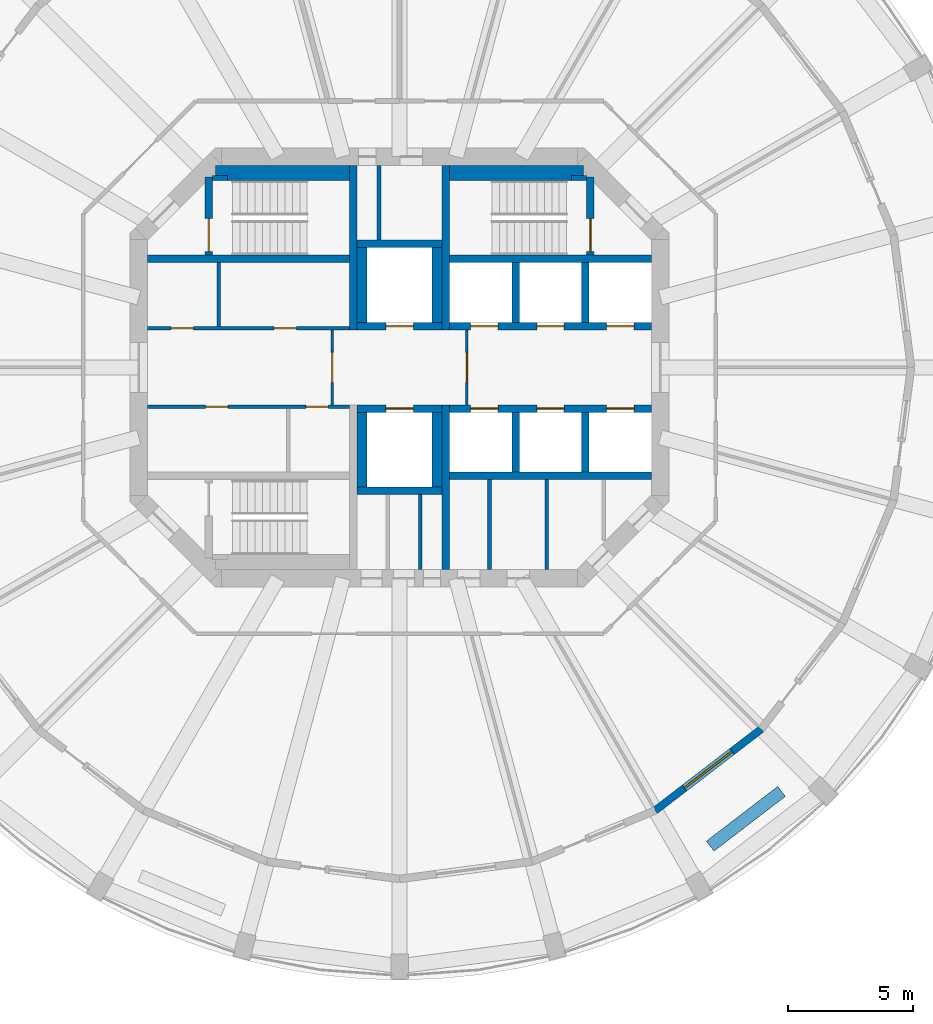
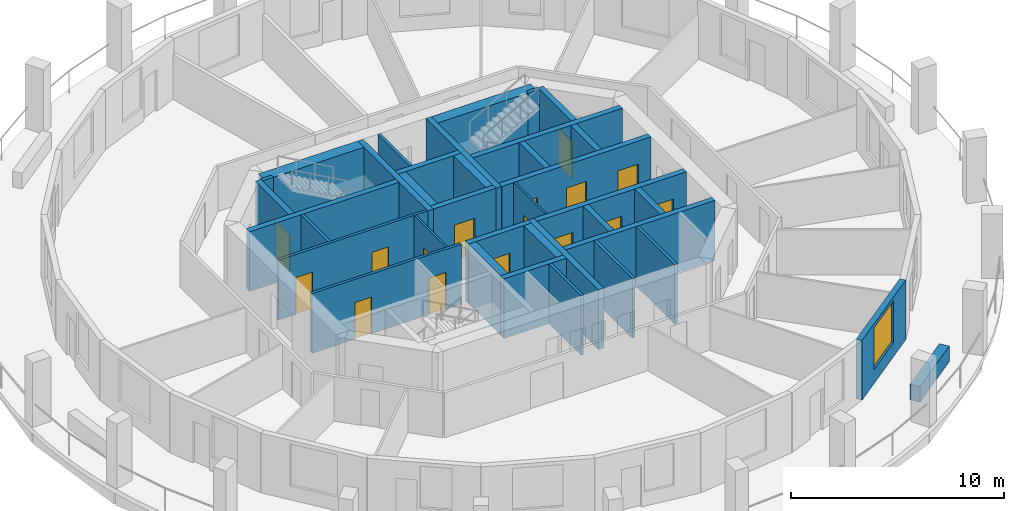
# One storey, part 4 of 9: 37 walls, 16 doors, 1 window, 17 openings.
"""IFC4 building model written with IfcOpenShell, lengths in metres."""

from ifc_helpers import new_model, si_unit, direction, frame, frame_2d, origin, place, context, subcontext, project, spatial, rectangle, extrude, material, layer, layer_set, type_object, element, fill, save


model = new_model("IFC4")

# Units and contexts
model_context = context("Model", 3, precision=1e-05, world=origin(), true_north=direction((0.0, 1.0)))
body_context = subcontext(model_context, "Body", "Model", "MODEL_VIEW")
ifc_project = project(units=[si_unit("LENGTHUNIT", "METRE"), si_unit("AREAUNIT", "SQUARE_METRE"), si_unit("VOLUMEUNIT", "CUBIC_METRE"), si_unit("PLANEANGLEUNIT", "RADIAN"), si_unit("MASSUNIT", "GRAM", prefix="KILO")], contexts=[model_context])

# Site, building, storey
site_placement = place(None, origin())
site = spatial("IfcSite", under=ifc_project, at=site_placement, CompositionType="ELEMENT")
building_placement = place(site_placement, origin())
building = spatial("IfcBuilding", under=site, at=building_placement, Name="Torre Triforio", CompositionType="ELEMENT")
storey_placement = place(building_placement, frame((0.0, 0.0, 233.5)))
storey = spatial("IfcBuildingStorey", under=building, at=storey_placement, Name="L53", CompositionType="ELEMENT", Elevation=233.5)

# Walls
ifc_material_1 = material(Name="Concrete C50", Category="concrete")
ifc_layer_1 = layer(ifc_material_1, 0.300048828125)
ifc_layer_set_1 = layer_set([ifc_layer_1], Name="Concrete C50")
wall_type_1 = type_object("IfcWallType", Name="Core wall 300 mm C50 EI 120", PredefinedType="SHEAR", material=ifc_layer_set_1)
for number, where, z_axis, x_axis, name in (
    (1, (-1.85009765625, 1.5, 0.0), (0.0, 0.0, 1.0), (0.0, 1.0, 0.0), "Core wall"),
    (2, (1.85009765625, 1.5, 0.0), (0.0, 0.0, 1.0), (0.0, 1.0, 0.0), "Core wall"),
    (3, (1.85009765625, -8.10009765625, 0.0), (0.0, 0.0, 1.0), (0.0, 1.0, 0.0), "Core wall"),
):
    element("IfcWall", number, at=place(storey_placement, frame(where, z_axis=z_axis, x_axis=x_axis)), inside=storey, type_object=wall_type_1, Name=name, PredefinedType="SHEAR", context=body_context, shape_type="SweptSolid", body=[
        extrude(rectangle(XDim=6.60009765625, YDim=0.300048828125, at=frame_2d((3.300048828125, 0.0))), origin(), (0.0, 0.0, 1.0), 3.419921875),
    ])

# Wall, opening, door
ifc_material_2 = material(Name="Block and board partition")
ifc_layer_2 = layer(ifc_material_2, 0.10009765625)
ifc_layer_set_2 = layer_set([ifc_layer_2], Name="Block and board partition")
wall_type_2 = type_object("IfcWallType", Name="Partition 100 mm EI 120", PredefinedType="PARTITIONING", material=ifc_layer_set_2)
wall_1_placement = place(storey_placement, frame((-2.699951171875, -1.5, 0.0), z_axis=(0.0, 0.0, 1.0), x_axis=(0.0, 1.0, 0.0)))
wall_1 = element("IfcWall", 4, at=wall_1_placement, inside=storey, type_object=wall_type_2, Name="Partition", PredefinedType="PARTITIONING", context=body_context, shape_type="SweptSolid", body=[
    extrude(rectangle(XDim=3.0, YDim=0.10009765625, at=frame_2d((1.5, 0.0))), origin(), (0.0, 0.0, 1.0), 3.419921875),
])
opening_1_placement = place(wall_1_placement, frame((0.89990234375, 0.0, 0.0)))
opening_1 = element("IfcOpeningElement", 5, at=opening_1_placement, cuts=wall_1, Name="Opening FF-W", PredefinedType="OPENING", context=body_context, shape_type="SweptSolid", body=[
    extrude(rectangle(XDim=1.199951171875, YDim=2.10009765625, at=frame_2d((0.60009765625, 1.050048828125))), frame((0.0, 0.06005859375, 0.0), z_axis=(0.0, -1.0, 0.0), x_axis=(1.0, 0.0, 0.0)), (0.0, 0.0, 1.0), 0.1201171875),
])
ifc_material_3 = material(Name="Hollow metal fire door leaf")
door_type_1 = type_object("IfcDoorType", Name="Fire-fighting lobby door 1200 x 2100 EI 60", OperationType="NOTDEFINED", PredefinedType="DOOR", material=ifc_material_3)
door_1_placement = place(opening_1_placement, origin())
door_1 = element("IfcDoor", 6, at=door_1_placement, inside=storey, type_object=door_type_1, Name="Core door FF-W", OperationType="SINGLE_SWING_LEFT", OverallHeight=2.10009765625, OverallWidth=1.199951171875, PredefinedType="DOOR", context=body_context, shape_type="SweptSolid", body=[
    extrude(rectangle(XDim=1.199951171875, YDim=2.10009765625, at=frame_2d((0.60009765625, 1.050048828125))), frame((0.0, 0.02490234375, 0.0), z_axis=(0.0, -1.0, 0.0), x_axis=(1.0, 0.0, 0.0)), (0.0, 0.0, 1.0), 0.050048828125),
])
fill(opening_1, door_1)

wall_2_placement = place(storey_placement, frame((2.699951171875, -1.5, 0.0), z_axis=(0.0, 0.0, 1.0), x_axis=(0.0, 1.0, 0.0)))
wall_2 = element("IfcWall", 7, at=wall_2_placement, inside=storey, type_object=wall_type_2, Name="Partition", PredefinedType="PARTITIONING", context=body_context, shape_type="SweptSolid", body=[
    extrude(rectangle(XDim=3.0, YDim=0.10009765625, at=frame_2d((1.5, 0.0))), origin(), (0.0, 0.0, 1.0), 3.419921875),
])
opening_2_placement = place(wall_2_placement, frame((0.89990234375, 0.0, 0.0)))
opening_2 = element("IfcOpeningElement", 8, at=opening_2_placement, cuts=wall_2, Name="Opening FF-E", PredefinedType="OPENING", context=body_context, shape_type="SweptSolid", body=[
    extrude(rectangle(XDim=1.199951171875, YDim=2.10009765625, at=frame_2d((0.60009765625, 1.050048828125))), frame((0.0, 0.06005859375, 0.0), z_axis=(0.0, -1.0, 0.0), x_axis=(1.0, 0.0, 0.0)), (0.0, 0.0, 1.0), 0.1201171875),
])
door_2_placement = place(opening_2_placement, origin())
door_2 = element("IfcDoor", 9, at=door_2_placement, inside=storey, type_object=door_type_1, Name="Core door FF-E", OperationType="SINGLE_SWING_LEFT", OverallHeight=2.10009765625, OverallWidth=1.199951171875, PredefinedType="DOOR", context=body_context, shape_type="SweptSolid", body=[
    extrude(rectangle(XDim=1.199951171875, YDim=2.10009765625, at=frame_2d((0.60009765625, 1.050048828125))), frame((0.0, 0.02490234375, 0.0), z_axis=(0.0, -1.0, 0.0), x_axis=(1.0, 0.0, 0.0)), (0.0, 0.0, 1.0), 0.050048828125),
])
fill(opening_2, door_2)

# Walls
ifc_layer_3 = layer(ifc_material_2, 0.14990234375)
ifc_layer_set_3 = layer_set([ifc_layer_3], Name="Block and board partition")
wall_type_3 = type_object("IfcWallType", Name="Partition 150 mm", PredefinedType="PARTITIONING", material=ifc_layer_set_3)
for number, where, z_axis, x_axis, name in (
    (10, (3.60498046875, -8.10009765625, 0.0), (0.0, 0.0, 1.0), (0.0, 1.0, 0.0), "Partition"),
    (11, (5.89697265625, -8.10009765625, 0.0), (0.0, 0.0, 1.0), (0.0, 1.0, 0.0), "Partition"),
):
    element("IfcWall", number, at=place(storey_placement, frame(where, z_axis=z_axis, x_axis=x_axis)), inside=storey, type_object=wall_type_3, Name=name, PredefinedType="PARTITIONING", context=body_context, shape_type="SweptSolid", body=[
        extrude(rectangle(XDim=3.60009765625, YDim=0.14990234375, at=frame_2d((1.800048828125, 0.0))), origin(), (0.0, 0.0, 1.0), 3.419921875),
    ])
wall_3_placement = place(storey_placement, frame((-7.242431640625, 1.64990234375, 0.0), z_axis=(0.0, 0.0, 1.0), x_axis=(0.0, 1.0, 0.0)))
element("IfcWall", 12, at=wall_3_placement, inside=storey, type_object=wall_type_3, Name="Partition", PredefinedType="PARTITIONING", context=body_context, shape_type="SweptSolid", body=[
    extrude(rectangle(XDim=2.550048828125, YDim=0.14990234375, at=frame_2d((1.27490234375, 0.0))), origin(), (0.0, 0.0, 1.0), 3.419921875),
])
ifc_layer_4 = layer(ifc_material_2, 0.14990234375)
ifc_layer_set_4 = layer_set([ifc_layer_4], Name="Block and board partition")
wall_type_4 = type_object("IfcWallType", Name="Partition 150 mm EI 120", PredefinedType="PARTITIONING", material=ifc_layer_set_4)
for number, where, z_axis, x_axis, name in (
    (13, (-0.824951171875, 5.10009765625, 0.0), (0.0, 0.0, 1.0), (0.0, 1.0, 0.0), "Partition"),
    (14, (0.824951171875, -8.10009765625, 0.0), (0.0, 0.0, 1.0), (0.0, 1.0, 0.0), "Partition"),
):
    element("IfcWall", number, at=place(storey_placement, frame(where, z_axis=z_axis, x_axis=x_axis)), inside=storey, type_object=wall_type_4, Name=name, PredefinedType="PARTITIONING", context=body_context, shape_type="SweptSolid", body=[
        extrude(rectangle(XDim=3.0, YDim=0.14990234375, at=frame_2d((1.5, 0.0))), origin(), (0.0, 0.0, 1.0), 3.419921875),
    ])

# Wall, openings, doors
wall_4_placement = place(storey_placement, frame((-10.10009765625, 1.574951171875, 0.0), z_axis=(0.0, 0.0, 1.0), x_axis=(1.0, 0.0, 0.0)))
wall_4 = element("IfcWall", 15, at=wall_4_placement, inside=storey, type_object=wall_type_4, Name="Partition", PredefinedType="PARTITIONING", context=body_context, shape_type="SweptSolid", body=[
    extrude(rectangle(XDim=8.10009765625, YDim=0.14990234375, at=frame_2d((4.050048828125, 0.0))), origin(), (0.0, 0.0, 1.0), 3.419921875),
])
opening_3_placement = place(wall_4_placement, frame((0.941162109375, 0.0, 0.0)))
opening_3 = element("IfcOpeningElement", 16, at=opening_3_placement, cuts=wall_4, Name="Opening FN-01A", PredefinedType="OPENING", context=body_context, shape_type="SweptSolid", body=[
    extrude(rectangle(XDim=0.89990234375, YDim=2.10009765625, at=frame_2d((0.449951171875, 1.050048828125))), frame((0.0, 0.0849609375, 0.0), z_axis=(0.0, -1.0, 0.0), x_axis=(1.0, 0.0, 0.0)), (0.0, 0.0, 1.0), 0.169921875),
])
opening_4_placement = place(wall_4_placement, frame((5.066162109375, 0.0, 0.0)))
opening_4 = element("IfcOpeningElement", 17, at=opening_4_placement, cuts=wall_4, Name="Opening FN-02", PredefinedType="OPENING", context=body_context, shape_type="SweptSolid", body=[
    extrude(rectangle(XDim=0.89990234375, YDim=2.10009765625, at=frame_2d((0.449951171875, 1.050048828125))), frame((0.0, 0.0849609375, 0.0), z_axis=(0.0, -1.0, 0.0), x_axis=(1.0, 0.0, 0.0)), (0.0, 0.0, 1.0), 0.169921875),
])
door_type_2 = type_object("IfcDoorType", Name="Plant room door 900 x 2100 EI 60", OperationType="NOTDEFINED", PredefinedType="DOOR", material=ifc_material_3)
door_3_placement = place(opening_3_placement, origin())
door_3 = element("IfcDoor", 18, at=door_3_placement, inside=storey, type_object=door_type_2, Name="Core door FN-01", OperationType="SINGLE_SWING_RIGHT", OverallHeight=2.10009765625, OverallWidth=0.89990234375, PredefinedType="DOOR", context=body_context, shape_type="SweptSolid", body=[
    extrude(rectangle(XDim=0.89990234375, YDim=2.10009765625, at=frame_2d((0.449951171875, 1.050048828125))), frame((0.0, 0.02490234375, 0.0), z_axis=(0.0, -1.0, 0.0), x_axis=(1.0, 0.0, 0.0)), (0.0, 0.0, 1.0), 0.050048828125),
])
fill(opening_3, door_3)
door_type_3 = type_object("IfcDoorType", Name="Room door 900 x 2100 EI 60", OperationType="NOTDEFINED", PredefinedType="DOOR", material=ifc_material_3)
door_4_placement = place(opening_4_placement, origin())
door_4 = element("IfcDoor", 19, at=door_4_placement, inside=storey, type_object=door_type_3, Name="Core door FN-02", OperationType="SINGLE_SWING_RIGHT", OverallHeight=2.10009765625, OverallWidth=0.89990234375, PredefinedType="DOOR", context=body_context, shape_type="SweptSolid", body=[
    extrude(rectangle(XDim=0.89990234375, YDim=2.10009765625, at=frame_2d((0.449951171875, 1.050048828125))), frame((0.0, 0.02490234375, 0.0), z_axis=(0.0, -1.0, 0.0), x_axis=(1.0, 0.0, 0.0)), (0.0, 0.0, 1.0), 0.050048828125),
])
fill(opening_4, door_4)

wall_5_placement = place(storey_placement, frame((-10.10009765625, -1.574951171875, 0.0), z_axis=(0.0, 0.0, 1.0), x_axis=(1.0, 0.0, 0.0)))
wall_5 = element("IfcWall", 20, at=wall_5_placement, inside=storey, type_object=wall_type_4, Name="Partition", PredefinedType="PARTITIONING", context=body_context, shape_type="SweptSolid", body=[
    extrude(rectangle(XDim=8.10009765625, YDim=0.14990234375, at=frame_2d((4.050048828125, 0.0))), origin(), (0.0, 0.0, 1.0), 3.419921875),
])
opening_5_placement = place(wall_5_placement, frame((2.33251953125, 0.0, 0.0)))
opening_5 = element("IfcOpeningElement", 21, at=opening_5_placement, cuts=wall_5, Name="Opening FS-01", PredefinedType="OPENING", context=body_context, shape_type="SweptSolid", body=[
    extrude(rectangle(XDim=0.89990234375, YDim=2.10009765625, at=frame_2d((0.449951171875, 1.050048828125))), frame((0.0, 0.0849609375, 0.0), z_axis=(0.0, -1.0, 0.0), x_axis=(1.0, 0.0, 0.0)), (0.0, 0.0, 1.0), 0.169921875),
])
opening_6_placement = place(wall_5_placement, frame((6.35009765625, 0.0, 0.0)))
opening_6 = element("IfcOpeningElement", 22, at=opening_6_placement, cuts=wall_5, Name="Opening FS-02A", PredefinedType="OPENING", context=body_context, shape_type="SweptSolid", body=[
    extrude(rectangle(XDim=0.89990234375, YDim=2.10009765625, at=frame_2d((0.449951171875, 1.050048828125))), frame((0.0, 0.0849609375, 0.0), z_axis=(0.0, -1.0, 0.0), x_axis=(1.0, 0.0, 0.0)), (0.0, 0.0, 1.0), 0.169921875),
])
door_5_placement = place(opening_6_placement, origin())
door_5 = element("IfcDoor", 23, at=door_5_placement, inside=storey, type_object=door_type_2, Name="Core door FS-02", OperationType="SINGLE_SWING_LEFT", OverallHeight=2.10009765625, OverallWidth=0.89990234375, PredefinedType="DOOR", context=body_context, shape_type="SweptSolid", body=[
    extrude(rectangle(XDim=0.89990234375, YDim=2.10009765625, at=frame_2d((0.449951171875, 1.050048828125))), frame((0.0, 0.02490234375, 0.0), z_axis=(0.0, -1.0, 0.0), x_axis=(1.0, 0.0, 0.0)), (0.0, 0.0, 1.0), 0.050048828125),
])
fill(opening_6, door_5)
door_6_placement = place(opening_5_placement, origin())
door_6 = element("IfcDoor", 24, at=door_6_placement, inside=storey, type_object=door_type_3, Name="Core door FS-01", OperationType="SINGLE_SWING_LEFT", OverallHeight=2.10009765625, OverallWidth=0.89990234375, PredefinedType="DOOR", context=body_context, shape_type="SweptSolid", body=[
    extrude(rectangle(XDim=0.89990234375, YDim=2.10009765625, at=frame_2d((0.449951171875, 1.050048828125))), frame((0.0, 0.02490234375, 0.0), z_axis=(0.0, -1.0, 0.0), x_axis=(1.0, 0.0, 0.0)), (0.0, 0.0, 1.0), 0.050048828125),
])
fill(opening_5, door_6)

# Walls
ifc_material_4 = material(Name="Limestone cladding", Category="masonry")
ifc_layer_5 = layer(ifc_material_4, 0.10009765625)
ifc_material_5 = material(Name="Concrete C40", Category="concrete")
ifc_layer_6 = layer(ifc_material_5, 0.39990234375)
ifc_layer_set_5 = layer_set([ifc_layer_5, ifc_layer_6], Name="Limestone cladding / Concrete C40")
wall_type_5 = type_object("IfcWallType", Name="Planter wall 500", PredefinedType="PARAPET", material=ifc_layer_set_5)
wall_6_placement = place(storey_placement, frame((12.45166015625, -19.18408203125, 0.0), z_axis=(0.0, 0.0, 1.0), x_axis=(0.793384730612, 0.608720518162, 0.0)))
element("IfcWall", 25, at=wall_6_placement, inside=storey, type_object=wall_type_5, Name="Planter L53 bay 21", PredefinedType="PARAPET", context=body_context, shape_type="SweptSolid", body=[
    extrude(rectangle(XDim=3.60009765625, YDim=0.5, at=frame_2d((1.800048828125, 0.0))), origin(), (0.0, 0.0, 1.0), 0.89990234375),
])
ifc_layer_7 = layer(ifc_material_1, 0.300048828125)
ifc_layer_set_6 = layer_set([ifc_layer_7], Name="Concrete C50")
wall_type_6 = type_object("IfcWallType", Name="Shaft wall 300 mm C50 EI 120", PredefinedType="SOLIDWALL", material=ifc_layer_set_6)
for number, where, z_axis, x_axis, name in (
    (26, (-10.10009765625, 4.35009765625, 0.0), (0.0, 0.0, 1.0), (1.0, 0.0, 0.0), "Shaft wall"),
    (27, (2.0, 4.35009765625, 0.0), (0.0, 0.0, 1.0), (1.0, 0.0, 0.0), "Shaft wall"),
    (28, (2.0, -4.35009765625, 0.0), (0.0, 0.0, 1.0), (1.0, 0.0, 0.0), "Shaft wall"),
):
    element("IfcWall", number, at=place(storey_placement, frame(where, z_axis=z_axis, x_axis=x_axis)), inside=storey, type_object=wall_type_6, Name=name, PredefinedType="SOLIDWALL", context=body_context, shape_type="SweptSolid", body=[
        extrude(rectangle(XDim=8.10009765625, YDim=0.300048828125, at=frame_2d((4.050048828125, 0.0))), origin(), (0.0, 0.0, 1.0), 3.419921875),
    ])

# Wall, openings, doors
wall_7_placement = place(storey_placement, frame((2.0, 1.64990234375, 0.0), z_axis=(0.0, 0.0, 1.0), x_axis=(1.0, 0.0, 0.0)))
wall_7 = element("IfcWall", 29, at=wall_7_placement, inside=storey, type_object=wall_type_6, Name="Shaft wall", PredefinedType="SOLIDWALL", context=body_context, shape_type="SweptSolid", body=[
    extrude(rectangle(XDim=8.10009765625, YDim=0.300048828125, at=frame_2d((4.050048828125, 0.0))), origin(), (0.0, 0.0, 1.0), 3.419921875),
])
opening_7_placement = place(wall_7_placement, frame((0.85009765625, 0.0, 0.0)))
opening_7 = element("IfcOpeningElement", 30, at=opening_7_placement, cuts=wall_7, Name="Opening LD", PredefinedType="OPENING", context=body_context, shape_type="SweptSolid", body=[
    extrude(rectangle(XDim=1.10009765625, YDim=2.10009765625, at=frame_2d((0.550048828125, 1.050048828125))), frame((0.0, 0.159912109375, 0.0), z_axis=(0.0, -1.0, 0.0), x_axis=(1.0, 0.0, 0.0)), (0.0, 0.0, 1.0), 0.320068359375),
])
opening_8_placement = place(wall_7_placement, frame((3.5, 0.0, 0.0)))
opening_8 = element("IfcOpeningElement", 31, at=opening_8_placement, cuts=wall_7, Name="Opening LD", PredefinedType="OPENING", context=body_context, shape_type="SweptSolid", body=[
    extrude(rectangle(XDim=1.10009765625, YDim=2.10009765625, at=frame_2d((0.550048828125, 1.050048828125))), frame((0.0, 0.159912109375, 0.0), z_axis=(0.0, -1.0, 0.0), x_axis=(1.0, 0.0, 0.0)), (0.0, 0.0, 1.0), 0.320068359375),
])
opening_9_placement = place(wall_7_placement, frame((6.300048828125, 0.0, 0.0)))
opening_9 = element("IfcOpeningElement", 32, at=opening_9_placement, cuts=wall_7, Name="Opening LD", PredefinedType="OPENING", context=body_context, shape_type="SweptSolid", body=[
    extrude(rectangle(XDim=1.10009765625, YDim=2.10009765625, at=frame_2d((0.550048828125, 1.050048828125))), frame((0.0, 0.159912109375, 0.0), z_axis=(0.0, -1.0, 0.0), x_axis=(1.0, 0.0, 0.0)), (0.0, 0.0, 1.0), 0.320068359375),
])
door_type_4 = type_object("IfcDoorType", Name="Landing door 1100 x 2100 EI 60", OperationType="DOUBLE_DOOR_SLIDING", PredefinedType="DOOR", material=ifc_material_3)
door_7_placement = place(opening_7_placement, origin())
door_7 = element("IfcDoor", 33, at=door_7_placement, inside=storey, type_object=door_type_4, Name="Landing door HR1", OperationType="DOUBLE_DOOR_SLIDING", OverallHeight=2.10009765625, OverallWidth=1.10009765625, PredefinedType="DOOR", context=body_context, shape_type="SweptSolid", body=[
    extrude(rectangle(XDim=1.10009765625, YDim=2.10009765625, at=frame_2d((0.550048828125, 1.050048828125))), frame((0.0, 0.02490234375, 0.0), z_axis=(0.0, -1.0, 0.0), x_axis=(1.0, 0.0, 0.0)), (0.0, 0.0, 1.0), 0.050048828125),
])
fill(opening_7, door_7)
door_8_placement = place(opening_8_placement, origin())
door_8 = element("IfcDoor", 34, at=door_8_placement, inside=storey, type_object=door_type_4, Name="Landing door HR2", OperationType="DOUBLE_DOOR_SLIDING", OverallHeight=2.10009765625, OverallWidth=1.10009765625, PredefinedType="DOOR", context=body_context, shape_type="SweptSolid", body=[
    extrude(rectangle(XDim=1.10009765625, YDim=2.10009765625, at=frame_2d((0.550048828125, 1.050048828125))), frame((0.0, 0.02490234375, 0.0), z_axis=(0.0, -1.0, 0.0), x_axis=(1.0, 0.0, 0.0)), (0.0, 0.0, 1.0), 0.050048828125),
])
fill(opening_8, door_8)
door_9_placement = place(opening_9_placement, origin())
door_9 = element("IfcDoor", 35, at=door_9_placement, inside=storey, type_object=door_type_4, Name="Landing door HR3", OperationType="DOUBLE_DOOR_SLIDING", OverallHeight=2.10009765625, OverallWidth=1.10009765625, PredefinedType="DOOR", context=body_context, shape_type="SweptSolid", body=[
    extrude(rectangle(XDim=1.10009765625, YDim=2.10009765625, at=frame_2d((0.550048828125, 1.050048828125))), frame((0.0, 0.02490234375, 0.0), z_axis=(0.0, -1.0, 0.0), x_axis=(1.0, 0.0, 0.0)), (0.0, 0.0, 1.0), 0.050048828125),
])
fill(opening_9, door_9)

wall_8_placement = place(storey_placement, frame((2.0, -1.64990234375, 0.0), z_axis=(0.0, 0.0, 1.0), x_axis=(1.0, 0.0, 0.0)))
wall_8 = element("IfcWall", 36, at=wall_8_placement, inside=storey, type_object=wall_type_6, Name="Shaft wall", PredefinedType="SOLIDWALL", context=body_context, shape_type="SweptSolid", body=[
    extrude(rectangle(XDim=8.10009765625, YDim=0.300048828125, at=frame_2d((4.050048828125, 0.0))), origin(), (0.0, 0.0, 1.0), 3.419921875),
])
opening_10_placement = place(wall_8_placement, frame((0.85009765625, 0.0, 0.0)))
opening_10 = element("IfcOpeningElement", 37, at=opening_10_placement, cuts=wall_8, Name="Opening LD", PredefinedType="OPENING", context=body_context, shape_type="SweptSolid", body=[
    extrude(rectangle(XDim=1.10009765625, YDim=2.10009765625, at=frame_2d((0.550048828125, 1.050048828125))), frame((0.0, 0.159912109375, 0.0), z_axis=(0.0, -1.0, 0.0), x_axis=(1.0, 0.0, 0.0)), (0.0, 0.0, 1.0), 0.320068359375),
])
opening_11_placement = place(wall_8_placement, frame((3.5, 0.0, 0.0)))
opening_11 = element("IfcOpeningElement", 38, at=opening_11_placement, cuts=wall_8, Name="Opening LD", PredefinedType="OPENING", context=body_context, shape_type="SweptSolid", body=[
    extrude(rectangle(XDim=1.10009765625, YDim=2.10009765625, at=frame_2d((0.550048828125, 1.050048828125))), frame((0.0, 0.159912109375, 0.0), z_axis=(0.0, -1.0, 0.0), x_axis=(1.0, 0.0, 0.0)), (0.0, 0.0, 1.0), 0.320068359375),
])
opening_12_placement = place(wall_8_placement, frame((6.300048828125, 0.0, 0.0)))
opening_12 = element("IfcOpeningElement", 39, at=opening_12_placement, cuts=wall_8, Name="Opening LD", PredefinedType="OPENING", context=body_context, shape_type="SweptSolid", body=[
    extrude(rectangle(XDim=1.10009765625, YDim=2.10009765625, at=frame_2d((0.550048828125, 1.050048828125))), frame((0.0, 0.159912109375, 0.0), z_axis=(0.0, -1.0, 0.0), x_axis=(1.0, 0.0, 0.0)), (0.0, 0.0, 1.0), 0.320068359375),
])
door_10_placement = place(opening_10_placement, origin())
door_10 = element("IfcDoor", 40, at=door_10_placement, inside=storey, type_object=door_type_4, Name="Landing door HR4", OperationType="DOUBLE_DOOR_SLIDING", OverallHeight=2.10009765625, OverallWidth=1.10009765625, PredefinedType="DOOR", context=body_context, shape_type="SweptSolid", body=[
    extrude(rectangle(XDim=1.10009765625, YDim=2.10009765625, at=frame_2d((0.550048828125, 1.050048828125))), frame((0.0, 0.02490234375, 0.0), z_axis=(0.0, -1.0, 0.0), x_axis=(1.0, 0.0, 0.0)), (0.0, 0.0, 1.0), 0.050048828125),
])
fill(opening_10, door_10)
door_11_placement = place(opening_11_placement, origin())
door_11 = element("IfcDoor", 41, at=door_11_placement, inside=storey, type_object=door_type_4, Name="Landing door HR5", OperationType="DOUBLE_DOOR_SLIDING", OverallHeight=2.10009765625, OverallWidth=1.10009765625, PredefinedType="DOOR", context=body_context, shape_type="SweptSolid", body=[
    extrude(rectangle(XDim=1.10009765625, YDim=2.10009765625, at=frame_2d((0.550048828125, 1.050048828125))), frame((0.0, 0.02490234375, 0.0), z_axis=(0.0, -1.0, 0.0), x_axis=(1.0, 0.0, 0.0)), (0.0, 0.0, 1.0), 0.050048828125),
])
fill(opening_11, door_11)
door_12_placement = place(opening_12_placement, origin())
door_12 = element("IfcDoor", 42, at=door_12_placement, inside=storey, type_object=door_type_4, Name="Landing door HR6", OperationType="DOUBLE_DOOR_SLIDING", OverallHeight=2.10009765625, OverallWidth=1.10009765625, PredefinedType="DOOR", context=body_context, shape_type="SweptSolid", body=[
    extrude(rectangle(XDim=1.10009765625, YDim=2.10009765625, at=frame_2d((0.550048828125, 1.050048828125))), frame((0.0, 0.02490234375, 0.0), z_axis=(0.0, -1.0, 0.0), x_axis=(1.0, 0.0, 0.0)), (0.0, 0.0, 1.0), 0.050048828125),
])
fill(opening_12, door_12)

# Walls
for number, where, z_axis, x_axis, name in (
    (43, (4.64990234375, 1.800048828125, 0.0), (0.0, 0.0, 1.0), (0.0, 1.0, 0.0), "Shaft wall"),
    (44, (4.64990234375, -4.199951171875, 0.0), (0.0, 0.0, 1.0), (0.0, 1.0, 0.0), "Shaft wall"),
    (45, (7.449951171875, 1.800048828125, 0.0), (0.0, 0.0, 1.0), (0.0, 1.0, 0.0), "Shaft wall"),
    (46, (7.449951171875, -4.199951171875, 0.0), (0.0, 0.0, 1.0), (0.0, 1.0, 0.0), "Shaft wall"),
):
    element("IfcWall", number, at=place(storey_placement, frame(where, z_axis=z_axis, x_axis=x_axis)), inside=storey, type_object=wall_type_6, Name=name, PredefinedType="SOLIDWALL", context=body_context, shape_type="SweptSolid", body=[
        extrude(rectangle(XDim=2.39990234375, YDim=0.300048828125, at=frame_2d((1.199951171875, 0.0))), origin(), (0.0, 0.0, 1.0), 3.419921875),
    ])

# Wall, opening, door
wall_9_placement = place(storey_placement, frame((-1.699951171875, 1.64990234375, 0.0), z_axis=(0.0, 0.0, 1.0), x_axis=(1.0, 0.0, 0.0)))
wall_9 = element("IfcWall", 47, at=wall_9_placement, inside=storey, type_object=wall_type_6, Name="Shaft wall", PredefinedType="SOLIDWALL", context=body_context, shape_type="SweptSolid", body=[
    extrude(rectangle(XDim=3.39990234375, YDim=0.300048828125, at=frame_2d((1.699951171875, 0.0))), origin(), (0.0, 0.0, 1.0), 3.419921875),
])
opening_13_placement = place(wall_9_placement, frame((1.14990234375, 0.0, 0.0)))
opening_13 = element("IfcOpeningElement", 48, at=opening_13_placement, cuts=wall_9, Name="Opening LD", PredefinedType="OPENING", context=body_context, shape_type="SweptSolid", body=[
    extrude(rectangle(XDim=1.10009765625, YDim=2.10009765625, at=frame_2d((0.550048828125, 1.050048828125))), frame((0.0, 0.159912109375, 0.0), z_axis=(0.0, -1.0, 0.0), x_axis=(1.0, 0.0, 0.0)), (0.0, 0.0, 1.0), 0.320068359375),
])
door_13_placement = place(opening_13_placement, origin())
door_13 = element("IfcDoor", 49, at=door_13_placement, inside=storey, type_object=door_type_4, Name="Landing door FFL1", OperationType="DOUBLE_DOOR_SLIDING", OverallHeight=2.10009765625, OverallWidth=1.10009765625, PredefinedType="DOOR", context=body_context, shape_type="SweptSolid", body=[
    extrude(rectangle(XDim=1.10009765625, YDim=2.10009765625, at=frame_2d((0.550048828125, 1.050048828125))), frame((0.0, 0.02490234375, 0.0), z_axis=(0.0, -1.0, 0.0), x_axis=(1.0, 0.0, 0.0)), (0.0, 0.0, 1.0), 0.050048828125),
])
fill(opening_13, door_13)

wall_10_placement = place(storey_placement, frame((-1.699951171875, -1.64990234375, 0.0), z_axis=(0.0, 0.0, 1.0), x_axis=(1.0, 0.0, 0.0)))
wall_10 = element("IfcWall", 50, at=wall_10_placement, inside=storey, type_object=wall_type_6, Name="Shaft wall", PredefinedType="SOLIDWALL", context=body_context, shape_type="SweptSolid", body=[
    extrude(rectangle(XDim=3.39990234375, YDim=0.300048828125, at=frame_2d((1.699951171875, 0.0))), origin(), (0.0, 0.0, 1.0), 3.419921875),
])
opening_14_placement = place(wall_10_placement, frame((1.14990234375, 0.0, 0.0)))
opening_14 = element("IfcOpeningElement", 51, at=opening_14_placement, cuts=wall_10, Name="Opening LD", PredefinedType="OPENING", context=body_context, shape_type="SweptSolid", body=[
    extrude(rectangle(XDim=1.10009765625, YDim=2.10009765625, at=frame_2d((0.550048828125, 1.050048828125))), frame((0.0, 0.159912109375, 0.0), z_axis=(0.0, -1.0, 0.0), x_axis=(1.0, 0.0, 0.0)), (0.0, 0.0, 1.0), 0.320068359375),
])
door_14_placement = place(opening_14_placement, origin())
door_14 = element("IfcDoor", 52, at=door_14_placement, inside=storey, type_object=door_type_4, Name="Landing door FFL2", OperationType="DOUBLE_DOOR_SLIDING", OverallHeight=2.10009765625, OverallWidth=1.10009765625, PredefinedType="DOOR", context=body_context, shape_type="SweptSolid", body=[
    extrude(rectangle(XDim=1.10009765625, YDim=2.10009765625, at=frame_2d((0.550048828125, 1.050048828125))), frame((0.0, 0.02490234375, 0.0), z_axis=(0.0, -1.0, 0.0), x_axis=(1.0, 0.0, 0.0)), (0.0, 0.0, 1.0), 0.050048828125),
])
fill(opening_14, door_14)

# Walls
for number, where, z_axis, x_axis, name in (
    (53, (-1.699951171875, 4.949951171875, 0.0), (0.0, 0.0, 1.0), (1.0, 0.0, 0.0), "Shaft wall"),
    (54, (-1.699951171875, -4.949951171875, 0.0), (0.0, 0.0, 1.0), (1.0, 0.0, 0.0), "Shaft wall"),
):
    element("IfcWall", number, at=place(storey_placement, frame(where, z_axis=z_axis, x_axis=x_axis)), inside=storey, type_object=wall_type_6, Name=name, PredefinedType="SOLIDWALL", context=body_context, shape_type="SweptSolid", body=[
        extrude(rectangle(XDim=3.39990234375, YDim=0.300048828125, at=frame_2d((1.699951171875, 0.0))), origin(), (0.0, 0.0, 1.0), 3.419921875),
    ])
ifc_layer_8 = layer(ifc_material_1, 0.39990234375)
ifc_layer_set_7 = layer_set([ifc_layer_8], Name="Concrete C50")
wall_type_7 = type_object("IfcWallType", Name="Shaft wall 400 mm C50 EI 120", PredefinedType="SOLIDWALL", material=ifc_layer_set_7)
for number, where, z_axis, x_axis, name in (
    (55, (-1.5, 1.800048828125, 0.0), (0.0, 0.0, 1.0), (0.0, 1.0, 0.0), "Shaft wall"),
    (56, (-1.5, -4.800048828125, 0.0), (0.0, 0.0, 1.0), (0.0, 1.0, 0.0), "Shaft wall"),
    (57, (1.5, 1.800048828125, 0.0), (0.0, 0.0, 1.0), (0.0, 1.0, 0.0), "Shaft wall"),
    (58, (1.5, -4.800048828125, 0.0), (0.0, 0.0, 1.0), (0.0, 1.0, 0.0), "Shaft wall"),
):
    element("IfcWall", number, at=place(storey_placement, frame(where, z_axis=z_axis, x_axis=x_axis)), inside=storey, type_object=wall_type_7, Name=name, PredefinedType="SOLIDWALL", context=body_context, shape_type="SweptSolid", body=[
        extrude(rectangle(XDim=3.0, YDim=0.39990234375, at=frame_2d((1.5, 0.0))), origin(), (0.0, 0.0, 1.0), 3.419921875),
    ])
ifc_layer_9 = layer(ifc_material_1, 0.199951171875)
ifc_layer_set_8 = layer_set([ifc_layer_9], Name="Concrete C50")
wall_type_8 = type_object("IfcWallType", Name="Stair wall 200 mm C50 EI 120", PredefinedType="SHEAR", material=ifc_layer_set_8)
for number, where, z_axis, x_axis, name in (
    (59, (-7.5, 7.60009765625, 0.0), (0.0, 0.0, 1.0), (1.0, 0.0, 0.0), "Stair wall"),
    (60, (6.89990234375, 7.60009765625, 0.0), (0.0, 0.0, 1.0), (1.0, 0.0, 0.0), "Stair wall"),
):
    element("IfcWall", number, at=place(storey_placement, frame(where, z_axis=z_axis, x_axis=x_axis)), inside=storey, type_object=wall_type_8, Name=name, PredefinedType="SHEAR", context=body_context, shape_type="SweptSolid", body=[
        extrude(rectangle(XDim=0.60009765625, YDim=0.199951171875, at=frame_2d((0.300048828125, 0.0))), origin(), (0.0, 0.0, 1.0), 3.419921875),
    ])

# Wall, opening, door
ifc_layer_10 = layer(ifc_material_1, 0.300048828125)
ifc_layer_set_9 = layer_set([ifc_layer_10], Name="Concrete C50")
wall_type_9 = type_object("IfcWallType", Name="Stair wall 300 mm C50 EI 120", PredefinedType="SHEAR", material=ifc_layer_set_9)
wall_11_placement = place(storey_placement, frame((-7.64990234375, 4.5, 0.0), z_axis=(0.0, 0.0, 1.0), x_axis=(0.0, 1.0, 0.0)))
wall_11 = element("IfcWall", 61, at=wall_11_placement, inside=storey, type_object=wall_type_9, Name="Stair wall", PredefinedType="SHEAR", context=body_context, shape_type="SweptSolid", body=[
    extrude(rectangle(XDim=3.139892578125, YDim=0.300048828125, at=frame_2d((1.56982421875, 0.0))), origin(), (0.0, 0.0, 1.0), 3.419921875),
])
opening_15_placement = place(wall_11_placement, frame((0.139892578125, 0.0, 0.0)))
opening_15 = element("IfcOpeningElement", 62, at=opening_15_placement, cuts=wall_11, Name="Opening ST1-STA", PredefinedType="OPENING", context=body_context, shape_type="SweptSolid", body=[
    extrude(rectangle(XDim=1.320068359375, YDim=2.10009765625, at=frame_2d((0.66015625, 1.050048828125))), frame((0.0, 0.159912109375, 0.0), z_axis=(0.0, -1.0, 0.0), x_axis=(1.0, 0.0, 0.0)), (0.0, 0.0, 1.0), 0.320068359375),
])
door_type_5 = type_object("IfcDoorType", Name="Stair door 1320 x 2100 EI 90", OperationType="DOUBLE_DOOR_SINGLE_SWING", PredefinedType="DOOR", material=ifc_material_3)
door_15_placement = place(opening_15_placement, origin())
door_15 = element("IfcDoor", 63, at=door_15_placement, inside=storey, type_object=door_type_5, Name="Core door ST1-ST", OperationType="DOUBLE_DOOR_SINGLE_SWING", OverallHeight=2.10009765625, OverallWidth=1.320068359375, PredefinedType="DOOR", context=body_context, shape_type="SweptSolid", body=[
    extrude(rectangle(XDim=1.320068359375, YDim=2.10009765625, at=frame_2d((0.66015625, 1.050048828125))), frame((0.0, 0.02490234375, 0.0), z_axis=(0.0, -1.0, 0.0), x_axis=(1.0, 0.0, 0.0)), (0.0, 0.0, 1.0), 0.050048828125),
])
fill(opening_15, door_15)

wall_12_placement = place(storey_placement, frame((7.64990234375, 4.5, 0.0), z_axis=(0.0, 0.0, 1.0), x_axis=(0.0, 1.0, 0.0)))
wall_12 = element("IfcWall", 64, at=wall_12_placement, inside=storey, type_object=wall_type_9, Name="Stair wall", PredefinedType="SHEAR", context=body_context, shape_type="SweptSolid", body=[
    extrude(rectangle(XDim=3.139892578125, YDim=0.300048828125, at=frame_2d((1.56982421875, 0.0))), origin(), (0.0, 0.0, 1.0), 3.419921875),
])
opening_16_placement = place(wall_12_placement, frame((0.139892578125, 0.0, 0.0)))
opening_16 = element("IfcOpeningElement", 65, at=opening_16_placement, cuts=wall_12, Name="Opening ST2-STA", PredefinedType="OPENING", context=body_context, shape_type="SweptSolid", body=[
    extrude(rectangle(XDim=1.320068359375, YDim=2.10009765625, at=frame_2d((0.66015625, 1.050048828125))), frame((0.0, 0.159912109375, 0.0), z_axis=(0.0, -1.0, 0.0), x_axis=(1.0, 0.0, 0.0)), (0.0, 0.0, 1.0), 0.320068359375),
])
door_16_placement = place(opening_16_placement, origin())
door_16 = element("IfcDoor", 66, at=door_16_placement, inside=storey, type_object=door_type_5, Name="Core door ST2-ST", OperationType="DOUBLE_DOOR_SINGLE_SWING", OverallHeight=2.10009765625, OverallWidth=1.320068359375, PredefinedType="DOOR", context=body_context, shape_type="SweptSolid", body=[
    extrude(rectangle(XDim=1.320068359375, YDim=2.10009765625, at=frame_2d((0.66015625, 1.050048828125))), frame((0.0, 0.02490234375, 0.0), z_axis=(0.0, -1.0, 0.0), x_axis=(1.0, 0.0, 0.0)), (0.0, 0.0, 1.0), 0.050048828125),
])
fill(opening_16, door_16)

# Walls
ifc_layer_11 = layer(ifc_material_1, 0.60009765625)
ifc_layer_set_10 = layer_set([ifc_layer_11], Name="Concrete C50")
wall_type_10 = type_object("IfcWallType", Name="Stair wall 600 mm C50 EI 120", PredefinedType="SHEAR", material=ifc_layer_set_10)
for number, where, z_axis, x_axis, name in (
    (67, (-7.3701171875, 7.800048828125, 0.0), (0.0, 0.0, 1.0), (1.0, 0.0, 0.0), "Stair wall"),
    (68, (2.0, 7.800048828125, 0.0), (0.0, 0.0, 1.0), (1.0, 0.0, 0.0), "Stair wall"),
):
    element("IfcWall", number, at=place(storey_placement, frame(where, z_axis=z_axis, x_axis=x_axis)), inside=storey, type_object=wall_type_10, Name=name, PredefinedType="SHEAR", context=body_context, shape_type="SweptSolid", body=[
        extrude(rectangle(XDim=5.3701171875, YDim=0.60009765625, at=frame_2d((2.68505859375, 0.0))), origin(), (0.0, 0.0, 1.0), 3.419921875),
    ])

# Wall, opening, window
ifc_layer_12 = layer(ifc_material_4, 0.10009765625)
ifc_layer_13 = layer(ifc_material_5, 0.199951171875)
ifc_layer_set_11 = layer_set([ifc_layer_12, ifc_layer_13], Name="Limestone cladding / Concrete C40")
wall_type_11 = type_object("IfcWallType", Name="Stone-faced composite wall 300", PredefinedType="STANDARD", material=ifc_layer_set_11)
wall_13_placement = place(storey_placement, frame((10.25, -17.75341796875, 0.0), z_axis=(0.0, 0.0, 1.0), x_axis=(0.793349293227, 0.60876670321, 0.0)))
wall_13 = element("IfcWall", 69, at=wall_13_placement, inside=storey, type_object=wall_type_11, Name="External wall L53 bay 21", PredefinedType="STANDARD", context=body_context, shape_type="SweptSolid", body=[
    extrude(rectangle(XDim=5.3515625, YDim=0.300048828125, at=frame_2d((2.67578125, 0.0))), origin(), (0.0, 0.0, 1.0), 3.419921875),
])
opening_17_placement = place(wall_13_placement, frame((1.475830078125, 0.0, 0.800048828125)))
opening_17 = element("IfcOpeningElement", 70, at=opening_17_placement, cuts=wall_13, Name="Opening O7-W21", PredefinedType="OPENING", context=body_context, shape_type="SweptSolid", body=[
    extrude(rectangle(XDim=2.39990234375, YDim=2.39990234375, at=frame_2d((1.199951171875, 1.199951171875))), frame((0.0, 0.159912109375, 0.0), z_axis=(0.0, -1.0, 0.0), x_axis=(1.0, 0.0, 0.0)), (0.0, 0.0, 1.0), 0.320068359375),
])
ifc_material_6 = material(Name="Aluminium frame with clear double glazing", Category="aluminium")
window_type = type_object("IfcWindowType", Name="Punched window 2400 x 2400", PartitioningType="DOUBLE_PANEL_VERTICAL", PredefinedType="WINDOW", material=ifc_material_6)
window_placement = place(opening_17_placement, origin())
window = element("IfcWindow", 71, at=window_placement, inside=storey, type_object=window_type, Name="Window EWN4 L53 bay 21", OverallHeight=2.39990234375, OverallWidth=2.39990234375, PartitioningType="SINGLE_PANEL", PredefinedType="WINDOW", context=body_context, shape_type="SweptSolid", body=[
    extrude(rectangle(XDim=2.39990234375, YDim=2.39990234375, at=frame_2d((1.199951171875, 1.199951171875))), frame((0.0, 0.030029296875, 0.0), z_axis=(0.0, -1.0, 0.0), x_axis=(1.0, 0.0, 0.0)), (0.0, 0.0, 1.0), 0.06005859375),
])
fill(opening_17, window)

save(model, "model.ifc")
